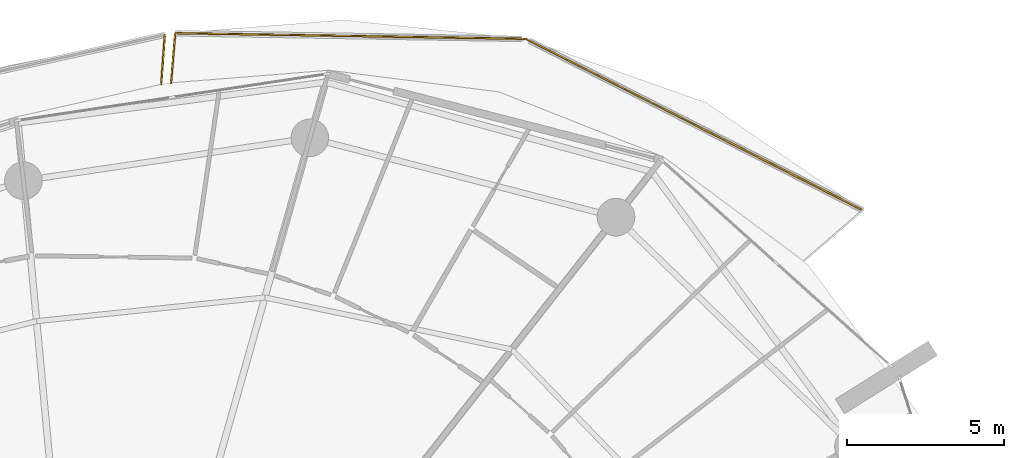
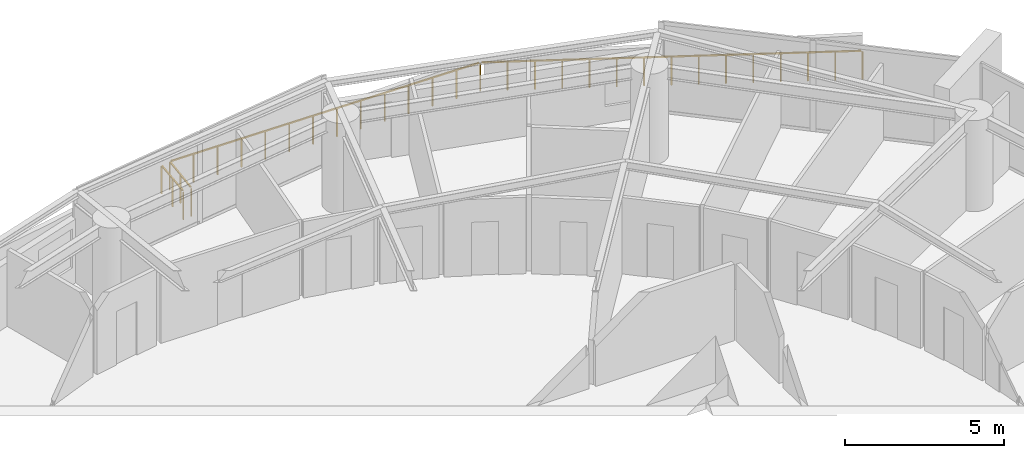
# One storey, part 23 of 23: 4 railings.
"""IFC4 building model written with IfcOpenShell, lengths in metres."""

from ifc_helpers import new_model, si_unit, direction, frame, origin, origin_2d, place, context, subcontext, project, spatial, rectangle, extrude, material, type_object, element, save


model = new_model("IFC4")

# Units and contexts
model_context = context("Model", 3, precision=1e-05, world=origin(), true_north=direction((0.0, 1.0)))
body_context = subcontext(model_context, "Body", "Model", "MODEL_VIEW")
ifc_project = project(units=[si_unit("LENGTHUNIT", "METRE"), si_unit("AREAUNIT", "SQUARE_METRE"), si_unit("VOLUMEUNIT", "CUBIC_METRE"), si_unit("PLANEANGLEUNIT", "RADIAN"), si_unit("MASSUNIT", "GRAM", prefix="KILO")], contexts=[model_context])

# Site, building, storey
site_placement = place(None, origin())
site = spatial("IfcSite", under=ifc_project, at=site_placement, CompositionType="ELEMENT")
building_placement = place(site_placement, origin())
building = spatial("IfcBuilding", under=site, at=building_placement, Name="Kazma Halo Residences", CompositionType="ELEMENT")
storey_placement = place(building_placement, frame((0.0, 0.0, 108.89990234375)))
storey = spatial("IfcBuildingStorey", under=building, at=storey_placement, Name="L27", CompositionType="ELEMENT", Elevation=108.89990234375)

# Railings
ifc_material = material(Name="Aluminium AW-6063 T6 Brushed Cap Rail", Category="aluminium")
railing_type = type_object("IfcRailingType", Name="RLG-BAL-CAP-1120", PredefinedType="BALUSTRADE", material=ifc_material)
railing_1_placement = place(storey_placement, frame((72.20068359375, 62.92626953125, 0.0)))
element("IfcRailing", 1, at=railing_1_placement, inside=storey, type_object=railing_type, Name="L27 NE wave balcony guard 2", PredefinedType="BALUSTRADE", context=body_context, shape_type="SweptSolid", body=[
    extrude(rectangle(XDim=0.050048828125, YDim=0.050048828125, at=origin_2d()), frame((-0.037841796875, 0.019287109375, 1.09521484375), z_axis=(-0.891325526743, 0.45336387745, 0.0), x_axis=(-0.45336387745, -0.891325526743, 0.0)), (0.0, 0.0, 1.0), 11.9775390625),
    extrude(rectangle(XDim=0.0400390625, YDim=0.0400390625, at=origin_2d()), origin(), (0.0, 0.0, 1.0), 1.05810546875),
    extrude(rectangle(XDim=0.0400390625, YDim=0.0400390625, at=origin_2d()), frame((-0.76806640625, 0.390625, 0.0)), (0.0, 0.0, 1.0), 1.05810546875),
    extrude(rectangle(XDim=0.0400390625, YDim=0.0400390625, at=origin_2d()), frame((-1.535888671875, 0.78125, 0.0)), (0.0, 0.0, 1.0), 1.05810546875),
    extrude(rectangle(XDim=0.0400390625, YDim=0.0400390625, at=origin_2d()), frame((-2.303955078125, 1.171875, 0.0)), (0.0, 0.0, 1.0), 1.05810546875),
    extrude(rectangle(XDim=0.0400390625, YDim=0.0400390625, at=origin_2d()), frame((-3.072021484375, 1.5625, 0.0)), (0.0, 0.0, 1.0), 1.05810546875),
    extrude(rectangle(XDim=0.0400390625, YDim=0.0400390625, at=origin_2d()), frame((-3.83984375, 1.953125, 0.0)), (0.0, 0.0, 1.0), 1.05810546875),
    extrude(rectangle(XDim=0.0400390625, YDim=0.0400390625, at=origin_2d()), frame((-4.60791015625, 2.34375, 0.0)), (0.0, 0.0, 1.0), 1.05810546875),
    extrude(rectangle(XDim=0.0400390625, YDim=0.0400390625, at=origin_2d()), frame((-5.3759765625, 2.734375, 0.0)), (0.0, 0.0, 1.0), 1.05810546875),
    extrude(rectangle(XDim=0.0400390625, YDim=0.0400390625, at=origin_2d()), frame((-6.143798828125, 3.125, 0.0)), (0.0, 0.0, 1.0), 1.05810546875),
    extrude(rectangle(XDim=0.0400390625, YDim=0.0400390625, at=origin_2d()), frame((-6.911865234375, 3.515625, 0.0)), (0.0, 0.0, 1.0), 1.05810546875),
    extrude(rectangle(XDim=0.0400390625, YDim=0.0400390625, at=origin_2d()), frame((-7.6796875, 3.90625, 0.0)), (0.0, 0.0, 1.0), 1.05810546875),
    extrude(rectangle(XDim=0.0400390625, YDim=0.0400390625, at=origin_2d()), frame((-8.44775390625, 4.296875, 0.0)), (0.0, 0.0, 1.0), 1.05810546875),
    extrude(rectangle(XDim=0.0400390625, YDim=0.0400390625, at=origin_2d()), frame((-9.2158203125, 4.6875, 0.0)), (0.0, 0.0, 1.0), 1.05810546875),
    extrude(rectangle(XDim=0.0400390625, YDim=0.0400390625, at=origin_2d()), frame((-9.983642578125, 5.078125, 0.0)), (0.0, 0.0, 1.0), 1.05810546875),
    extrude(rectangle(XDim=0.0400390625, YDim=0.0400390625, at=origin_2d()), frame((-10.751708984375, 5.46875, 0.0)), (0.0, 0.0, 1.0), 1.05810546875),
])
railing_2_placement = place(storey_placement, frame((61.448974609375, 68.39501953125, 0.0)))
element("IfcRailing", 2, at=railing_2_placement, inside=storey, type_object=railing_type, Name="L27 NE wave balcony guard 3", PredefinedType="BALUSTRADE", context=body_context, shape_type="SweptSolid", body=[
    extrude(rectangle(XDim=0.050048828125, YDim=0.050048828125, at=origin_2d()), frame((-0.04248046875, 0.000732421875, 1.09521484375), z_axis=(-0.999868371043, 0.016224690688, 0.0), x_axis=(-0.016224690688, -0.999868371043, 0.0)), (0.0, 0.0, 1.0), 11.1103515625),
    extrude(rectangle(XDim=0.0400390625, YDim=0.0400390625, at=origin_2d()), origin(), (0.0, 0.0, 1.0), 1.05810546875),
    extrude(rectangle(XDim=0.0400390625, YDim=0.0400390625, at=origin_2d()), frame((-0.861083984375, 0.013916015625, 0.0)), (0.0, 0.0, 1.0), 1.05810546875),
    extrude(rectangle(XDim=0.0400390625, YDim=0.0400390625, at=origin_2d()), frame((-1.72216796875, 0.02783203125, 0.0)), (0.0, 0.0, 1.0), 1.05810546875),
    extrude(rectangle(XDim=0.0400390625, YDim=0.0400390625, at=origin_2d()), frame((-2.583251953125, 0.0419921875, 0.0)), (0.0, 0.0, 1.0), 1.05810546875),
    extrude(rectangle(XDim=0.0400390625, YDim=0.0400390625, at=origin_2d()), frame((-3.4443359375, 0.055908203125, 0.0)), (0.0, 0.0, 1.0), 1.05810546875),
    extrude(rectangle(XDim=0.0400390625, YDim=0.0400390625, at=origin_2d()), frame((-4.305419921875, 0.06982421875, 0.0)), (0.0, 0.0, 1.0), 1.05810546875),
    extrude(rectangle(XDim=0.0400390625, YDim=0.0400390625, at=origin_2d()), frame((-5.16650390625, 0.083740234375, 0.0)), (0.0, 0.0, 1.0), 1.05810546875),
    extrude(rectangle(XDim=0.0400390625, YDim=0.0400390625, at=origin_2d()), frame((-6.02734375, 0.097900390625, 0.0)), (0.0, 0.0, 1.0), 1.05810546875),
    extrude(rectangle(XDim=0.0400390625, YDim=0.0400390625, at=origin_2d()), frame((-6.888427734375, 0.11181640625, 0.0)), (0.0, 0.0, 1.0), 1.05810546875),
    extrude(rectangle(XDim=0.0400390625, YDim=0.0400390625, at=origin_2d()), frame((-7.74951171875, 0.125732421875, 0.0)), (0.0, 0.0, 1.0), 1.05810546875),
    extrude(rectangle(XDim=0.0400390625, YDim=0.0400390625, at=origin_2d()), frame((-8.610595703125, 0.1396484375, 0.0)), (0.0, 0.0, 1.0), 1.05810546875),
    extrude(rectangle(XDim=0.0400390625, YDim=0.0400390625, at=origin_2d()), frame((-9.4716796875, 0.15380859375, 0.0)), (0.0, 0.0, 1.0), 1.05810546875),
    extrude(rectangle(XDim=0.0400390625, YDim=0.0400390625, at=origin_2d()), frame((-10.332763671875, 0.167724609375, 0.0)), (0.0, 0.0, 1.0), 1.05810546875),
    extrude(rectangle(XDim=0.0400390625, YDim=0.0400390625, at=origin_2d()), frame((-11.19384765625, 0.181640625, 0.0)), (0.0, 0.0, 1.0), 1.05810546875),
])
railing_3_placement = place(storey_placement, frame((50.255126953125, 68.57666015625, 0.0)))
element("IfcRailing", 3, at=railing_3_placement, inside=storey, type_object=railing_type, Name="L27 NE wave balcony guard 4", PredefinedType="BALUSTRADE", context=body_context, shape_type="SweptSolid", body=[
    extrude(rectangle(XDim=0.050048828125, YDim=0.050048828125, at=origin_2d()), frame((-0.003662109375, -0.04248046875, 1.09521484375), z_axis=(-0.084608455239, -0.996414275943, 0.0), x_axis=(0.996414275943, -0.084608455239, 0.0)), (0.0, 0.0, 1.0), 1.5048828125),
    extrude(rectangle(XDim=0.0400390625, YDim=0.0400390625, at=origin_2d()), origin(), (0.0, 0.0, 1.0), 1.05810546875),
    extrude(rectangle(XDim=0.0400390625, YDim=0.0400390625, at=origin_2d()), frame((-0.0673828125, -0.7919921875, 0.0)), (0.0, 0.0, 1.0), 1.05810546875),
    extrude(rectangle(XDim=0.0400390625, YDim=0.0400390625, at=origin_2d()), frame((-0.134521484375, -1.584228515625, 0.0)), (0.0, 0.0, 1.0), 1.05810546875),
])
railing_4_placement = place(storey_placement, frame((49.81005859375, 66.94580078125, 0.0)))
element("IfcRailing", 4, at=railing_4_placement, inside=storey, type_object=railing_type, Name="L27 NNW wave balcony guard 1", PredefinedType="BALUSTRADE", context=body_context, shape_type="SweptSolid", body=[
    extrude(rectangle(XDim=0.050048828125, YDim=0.050048828125, at=origin_2d()), frame((0.003173828125, 0.04248046875, 1.09521484375), z_axis=(0.072385279511, 0.997376744921, 0.0), x_axis=(-0.997376744921, 0.072385279511, 0.0)), (0.0, 0.0, 1.0), 1.500244140625),
    extrude(rectangle(XDim=0.0400390625, YDim=0.0400390625, at=origin_2d()), origin(), (0.0, 0.0, 1.0), 1.05810546875),
    extrude(rectangle(XDim=0.0400390625, YDim=0.0400390625, at=origin_2d()), frame((0.057373046875, 0.79052734375, 0.0)), (0.0, 0.0, 1.0), 1.05810546875),
    extrude(rectangle(XDim=0.0400390625, YDim=0.0400390625, at=origin_2d()), frame((0.11474609375, 1.5810546875, 0.0)), (0.0, 0.0, 1.0), 1.05810546875),
])

save(model, "model.ifc")
